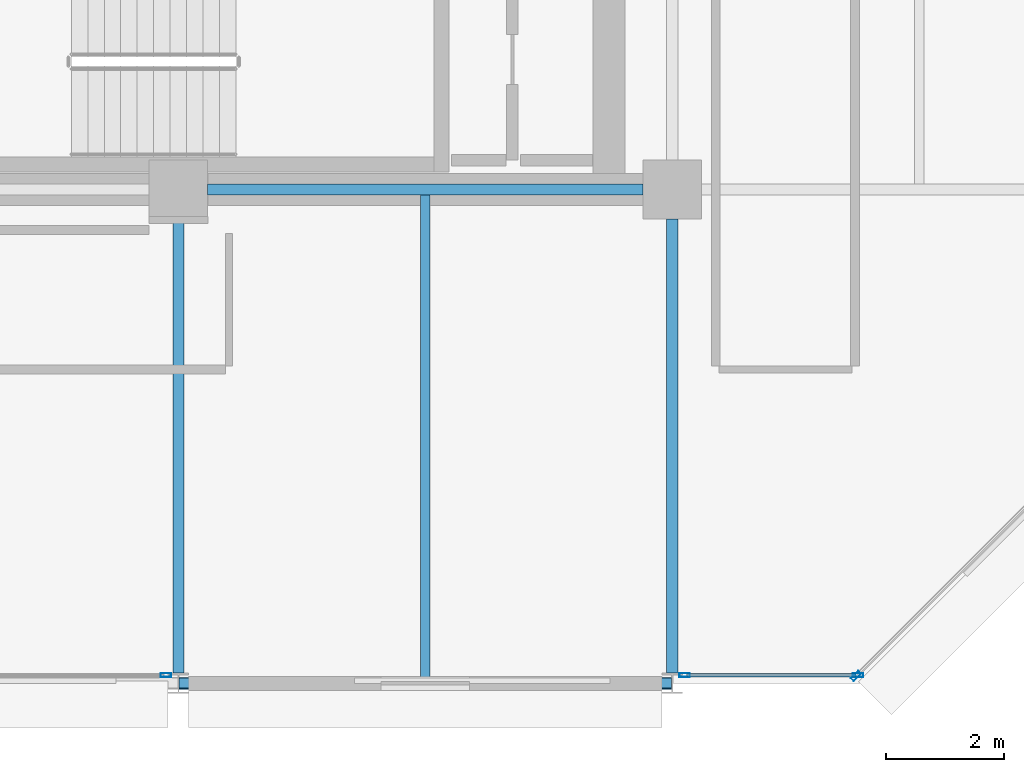
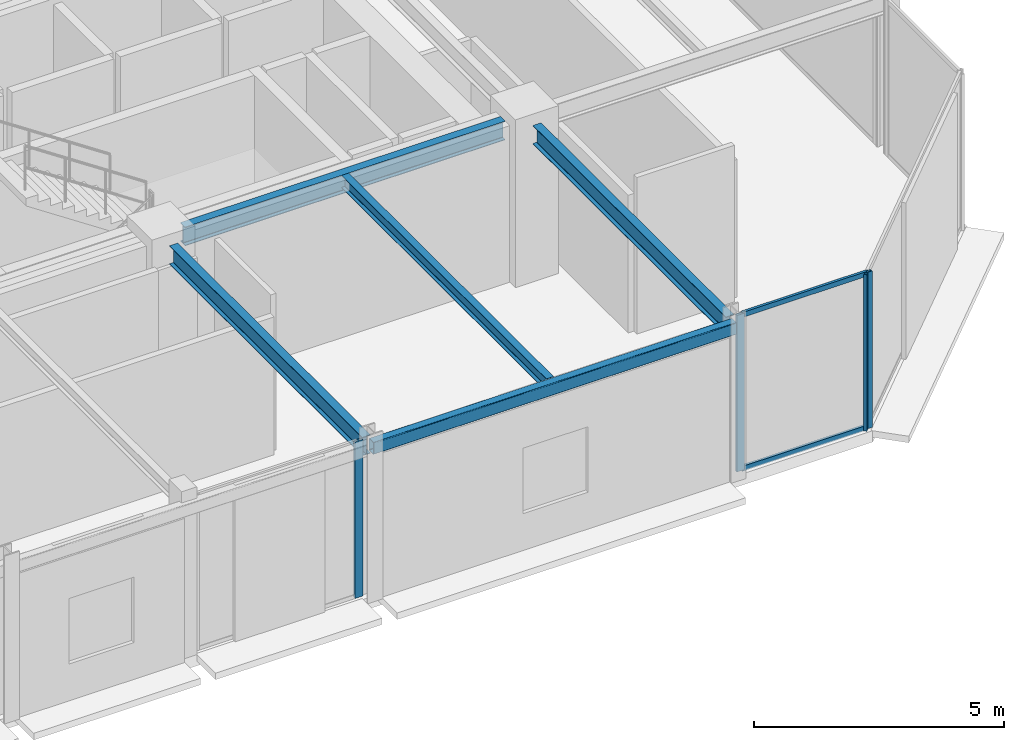
# One storey, part 11 of 29: 6 members, 5 beams, 3 elements without a shape of their own.
"""IFC4 building model written with IfcOpenShell, lengths in metres."""

from ifc_helpers import new_model, si_unit, direction, frame, origin, origin_2d, place, context, subcontext, project, spatial, hollow_rectangle, i_section, extrude, material, layer, layer_set, material_profile, profile_set, type_object, element, aggregate, save


model = new_model("IFC4")

# Units and contexts
model_context = context("Model", 3, precision=1e-05, world=origin(), true_north=direction((0.0, 1.0)))
body_context = subcontext(model_context, "Body", "Model", "MODEL_VIEW")
ifc_project = project(units=[si_unit("LENGTHUNIT", "METRE"), si_unit("AREAUNIT", "SQUARE_METRE"), si_unit("VOLUMEUNIT", "CUBIC_METRE"), si_unit("PLANEANGLEUNIT", "RADIAN"), si_unit("MASSUNIT", "GRAM", prefix="KILO")], contexts=[model_context])

# Site, building, storey
site_placement = place(None, origin())
site = spatial("IfcSite", under=ifc_project, at=site_placement, CompositionType="ELEMENT")
building_placement = place(site_placement, origin())
building = spatial("IfcBuilding", under=site, at=building_placement, Name="Nerrivon Quay Data Exchange", CompositionType="ELEMENT")
storey_placement = place(building_placement, frame((0.0, 0.0, 179.60009765625)))
storey = spatial("IfcBuildingStorey", under=building, at=storey_placement, Name="L42", CompositionType="ELEMENT", Elevation=179.60009765625)

# Beams
ifc_material_1 = material(Name="Steel Grade 350", Category="steel")
ifc_material_profile_1 = material_profile(ifc_material_1, i_section(OverallWidth=0.19091796875, OverallDepth=0.4599609375, WebThickness=0.010009765625, FlangeThickness=0.01611328125, FilletRadius=0.011474609375, at=origin_2d()), Name="460UB82.1")
ifc_profile_set_1 = profile_set([ifc_material_profile_1], Name="Steel Grade 350")
beam_type_1 = type_object("IfcBeamType", Name="BM-G5-460UB82", PredefinedType="BEAM", material=ifc_profile_set_1)
beam_1_placement = place(storey_placement, frame((25.699951171875, 8.39990234375, 3.594970703125), z_axis=(1.0, 0.0, 0.0), x_axis=(0.0, 1.0, 0.0)))
element("IfcBeam", 1, at=beam_1_placement, inside=storey, type_object=beam_type_1, Name="L42 EW Girder Y=8.4 (25.2..33.6)", PredefinedType="BEAM", context=body_context, shape_type="SweptSolid", body=[
    extrude(i_section(OverallWidth=0.19091796875, OverallDepth=0.4599609375, WebThickness=0.010009765625, FlangeThickness=0.01611328125, FilletRadius=0.011474609375, at=origin_2d()), origin(), (0.0, 0.0, 1.0), 7.400146484375),
])
ifc_material_profile_2 = material_profile(ifc_material_1, i_section(OverallWidth=0.18994140625, OverallDepth=0.4541015625, WebThickness=0.008544921875, FlangeThickness=0.0126953125, FilletRadius=0.011474609375, at=origin_2d()), Name="460UB67.1")
ifc_profile_set_2 = profile_set([ifc_material_profile_2], Name="Steel Grade 350")
beam_type_2 = type_object("IfcBeamType", Name="BM-G6-460UB67", PredefinedType="BEAM", material=ifc_profile_set_2)
for number, where, z_axis, x_axis, name in (
    (2, (25.199951171875, 0.175048828125, 3.597900390625), (0.0, 1.0, 0.0), (-1.0, 0.0, 0.0), "L42 NS Girder X=25.2 (0.0..8.4)"),
    (3, (33.60009765625, 0.175048828125, 3.597900390625), (0.0, 1.0, 0.0), (-1.0, 0.0, 0.0), "L42 NS Girder X=33.6 (0.0..8.4)"),
):
    element("IfcBeam", number, at=place(storey_placement, frame(where, z_axis=z_axis, x_axis=x_axis)), inside=storey, type_object=beam_type_2, Name=name, PredefinedType="BEAM", context=body_context, shape_type="SweptSolid", body=[
        extrude(i_section(OverallWidth=0.18994140625, OverallDepth=0.4541015625, WebThickness=0.008544921875, FlangeThickness=0.0126953125, FilletRadius=0.011474609375, at=origin_2d()), origin(), (0.0, 0.0, 1.0), 7.724853515625),
    ])
ifc_material_profile_3 = material_profile(ifc_material_1, i_section(OverallWidth=0.166015625, OverallDepth=0.306884765625, WebThickness=0.006591796875, FlangeThickness=0.01171875, FilletRadius=0.011474609375, at=origin_2d()), Name="310UB46.2")
ifc_profile_set_3 = profile_set([ifc_material_profile_3], Name="Steel Grade 350")
beam_type_3 = type_object("IfcBeamType", Name="BM-J5-310UB46", PredefinedType="JOIST", material=ifc_profile_set_3)
beam_2_placement = place(storey_placement, frame((29.39990234375, 0.10009765625, 3.67138671875), z_axis=(0.0, 1.0, 0.0), x_axis=(-1.0, 0.0, 0.0)))
element("IfcBeam", 4, at=beam_2_placement, inside=storey, type_object=beam_type_3, Name="L42 Secondary Joist X=29.4 (0.0..8.4)", PredefinedType="JOIST", context=body_context, shape_type="SweptSolid", body=[
    extrude(i_section(OverallWidth=0.166015625, OverallDepth=0.306884765625, WebThickness=0.006591796875, FlangeThickness=0.01171875, FilletRadius=0.011474609375, at=origin_2d()), origin(), (0.0, 0.0, 1.0), 8.204345703125),
])
ifc_material_2 = material(Name="Steel Grade C350L0 (350 MPa)", Category="steel")
ifc_material_profile_4 = material_profile(ifc_material_2, hollow_rectangle(XDim=0.199951171875, YDim=0.300048828125, WallThickness=0.012451171875, InnerFilletRadius=0.018798828125, OuterFilletRadius=0.03125, at=origin_2d()), Name="300x200x12.5RHS")
ifc_profile_set_4 = profile_set([ifc_material_profile_4], Name="Steel Grade C350L0 (350 MPa)")
beam_type_4 = type_object("IfcBeamType", Name="BM-SP3-300x200RHS", PredefinedType="SPANDREL", material=ifc_profile_set_4)
beam_3_placement = place(storey_placement, frame((25.2099609375, 0.0, 3.6748046875), z_axis=(1.0, 0.0, 0.0), x_axis=(0.0, 1.0, 0.0)))
element("IfcBeam", 5, at=beam_3_placement, inside=storey, type_object=beam_type_4, Name="L42 EW Girder Y=0.0 (25.2..33.6)", PredefinedType="SPANDREL", context=body_context, shape_type="SweptSolid", body=[
    extrude(hollow_rectangle(XDim=0.199951171875, YDim=0.300048828125, WallThickness=0.012451171875, InnerFilletRadius=0.018798828125, OuterFilletRadius=0.03125, at=origin_2d()), origin(), (0.0, 0.0, 1.0), 8.380126953125),
])

# Curtain wall, member
ifc_material_3 = material(Name="Anodised aluminium 6063-T6", Category="aluminium")
ifc_layer = layer(ifc_material_3, 0.195068359375)
ifc_layer_set = layer_set([ifc_layer], Name="Anodised aluminium 6063-T6")
curtain_wall_type = type_object("IfcCurtainWallType", Name="CW-SYS-06", PredefinedType="NOTDEFINED", material=ifc_layer_set)
curtain_wall_1_placement = place(storey_placement, origin())
curtain_wall_1 = element("IfcCurtainWall", 6, at=curtain_wall_1_placement, inside=storey, type_object=curtain_wall_type, Name="L42 Unitised Curtain Wall 21", PredefinedType="NOTDEFINED")
ifc_material_profile_5 = material_profile(ifc_material_3, hollow_rectangle(XDim=0.06494140625, YDim=0.179931640625, WallThickness=0.00341796875, at=origin_2d()), Name="ALU-MULL-180x65")
ifc_profile_set_5 = profile_set([ifc_material_profile_5], Name="Anodised aluminium 6063-T6")
member_type_1 = type_object("IfcMemberType", Name="CWM-180x65", PredefinedType="MULLION", material=ifc_profile_set_5)
member_1_placement = place(storey_placement, frame((36.7275390625, 0.12548828125, 0.0), z_axis=(0.0, 0.0, 1.0), x_axis=(0.707106781187, -0.707106781187, 0.0)))
member_1 = element("IfcMember", 7, at=member_1_placement, type_object=member_type_1, Name="CW06 mullion 2", PredefinedType="MULLION", context=body_context, shape_type="SweptSolid", body=[
    extrude(hollow_rectangle(XDim=0.06494140625, YDim=0.179931640625, WallThickness=0.00341796875, at=origin_2d()), origin(), (0.0, 0.0, 1.0), 3.824951171875),
])
aggregate(curtain_wall_1, [member_1])

# Curtain wall, members
curtain_wall_2_placement = place(storey_placement, origin())
curtain_wall_2 = element("IfcCurtainWall", 8, at=curtain_wall_2_placement, inside=storey, type_object=curtain_wall_type, Name="L42 Unitised Curtain Wall 22", PredefinedType="NOTDEFINED")
member_2_placement = place(storey_placement, frame((36.762451171875, 0.139892578125, 0.0), z_axis=(0.0, 0.0, 1.0), x_axis=(0.0, -1.0, 0.0)))
member_2 = element("IfcMember", 9, at=member_2_placement, type_object=member_type_1, Name="CW06 mullion 1", PredefinedType="MULLION", context=body_context, shape_type="SweptSolid", body=[
    extrude(hollow_rectangle(XDim=0.06494140625, YDim=0.179931640625, WallThickness=0.00341796875, at=origin_2d()), origin(), (0.0, 0.0, 1.0), 3.824951171875),
])
member_3_placement = place(storey_placement, frame((33.8125, 0.139892578125, 0.0), z_axis=(0.0, 0.0, 1.0), x_axis=(0.0, -1.0, 0.0)))
member_3 = element("IfcMember", 10, at=member_3_placement, type_object=member_type_1, Name="CW06 mullion 2", PredefinedType="MULLION", context=body_context, shape_type="SweptSolid", body=[
    extrude(hollow_rectangle(XDim=0.06494140625, YDim=0.179931640625, WallThickness=0.00341796875, at=origin_2d()), origin(), (0.0, 0.0, 1.0), 3.824951171875),
])

# Curtain wall, member
curtain_wall_3_placement = place(storey_placement, origin())
curtain_wall_3 = element("IfcCurtainWall", 11, at=curtain_wall_3_placement, inside=storey, type_object=curtain_wall_type, Name="L42 Unitised Curtain Wall 24", PredefinedType="NOTDEFINED")
member_4_placement = place(storey_placement, frame((24.987548828125, 0.139892578125, 0.0), z_axis=(0.0, 0.0, 1.0), x_axis=(0.0, -1.0, 0.0)))
member_4 = element("IfcMember", 12, at=member_4_placement, type_object=member_type_1, Name="CW06 mullion 1", PredefinedType="MULLION", context=body_context, shape_type="SweptSolid", body=[
    extrude(hollow_rectangle(XDim=0.06494140625, YDim=0.179931640625, WallThickness=0.00341796875, at=origin_2d()), origin(), (0.0, 0.0, 1.0), 3.824951171875),
])
aggregate(curtain_wall_3, [member_4])

# Member
ifc_material_profile_6 = material_profile(ifc_material_3, hollow_rectangle(XDim=0.06005859375, YDim=0.1201171875, WallThickness=0.003173828125, at=origin_2d()), Name="ALU-TRAN-120x60")
ifc_profile_set_6 = profile_set([ifc_material_profile_6], Name="Anodised aluminium 6063-T6")
member_type_2 = type_object("IfcMemberType", Name="CWT-120x60", PredefinedType="USERDEFINED", material=ifc_profile_set_6)
member_5_placement = place(storey_placement, frame((36.72509765625, 0.139892578125, 0.032470703125), z_axis=(-1.0, 0.0, 0.0), x_axis=(0.0, -1.0, 0.0)))
member_5 = element("IfcMember", 13, at=member_5_placement, type_object=member_type_2, Name="CW06 transom 1.1", ObjectType="TRANSOM", PredefinedType="USERDEFINED", context=body_context, shape_type="SweptSolid", body=[
    extrude(hollow_rectangle(XDim=0.06005859375, YDim=0.1201171875, WallThickness=0.003173828125, at=origin_2d()), origin(), (0.0, 0.0, 1.0), 2.875),
])

member_6_placement = place(storey_placement, frame((36.72509765625, 0.139892578125, 3.79248046875), z_axis=(-1.0, 0.0, 0.0), x_axis=(0.0, -1.0, 0.0)))
member_6 = element("IfcMember", 14, at=member_6_placement, type_object=member_type_2, Name="CW06 transom 1.2", ObjectType="TRANSOM", PredefinedType="USERDEFINED", context=body_context, shape_type="SweptSolid", body=[
    extrude(hollow_rectangle(XDim=0.06005859375, YDim=0.1201171875, WallThickness=0.003173828125, at=origin_2d()), origin(), (0.0, 0.0, 1.0), 2.875),
])

aggregate(curtain_wall_2, [member_2, member_3, member_5, member_6])

save(model, "model.ifc")
